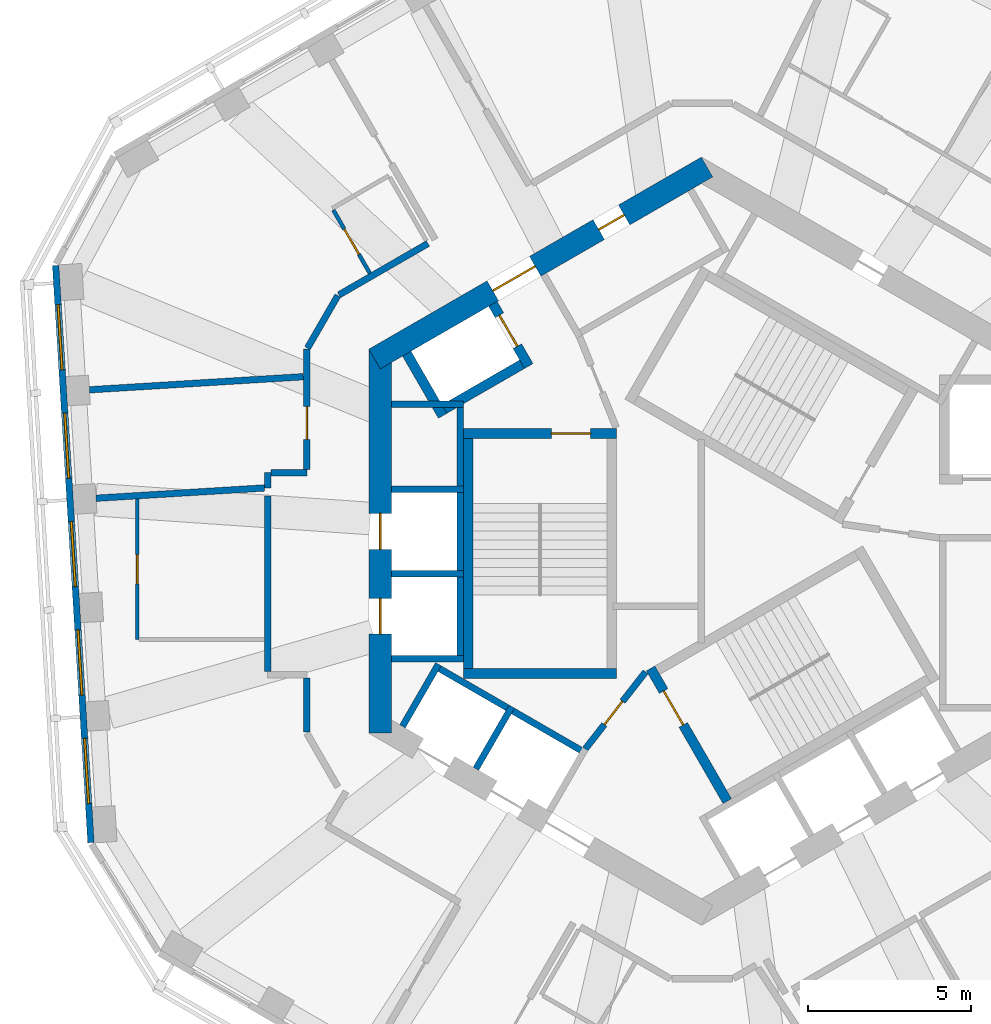
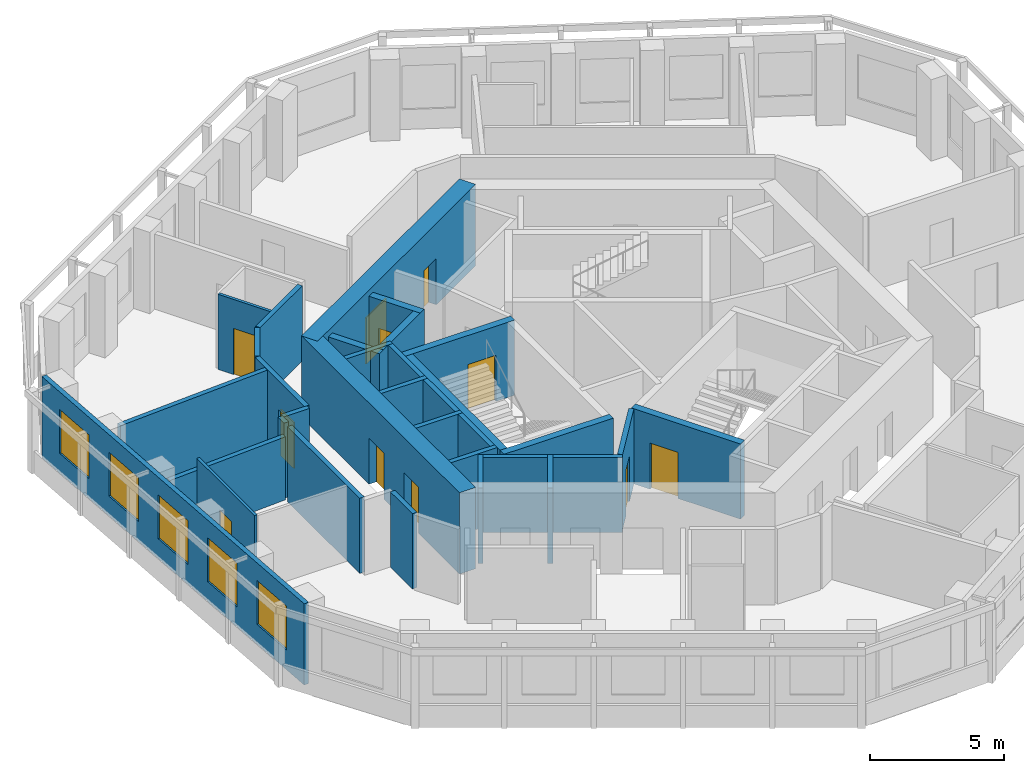
# One storey, part 5 of 10: 30 walls, 11 doors, 5 windows, 16 openings.
"""IFC4 building model written with IfcOpenShell, lengths in metres."""

import ifcopenshell
import ifcopenshell.guid

model = None  # the IFC model being written
_history = None  # IfcOwnerHistory: only IFC2X3 demands one
_inside = {}  # id of a spatial element -> (the spatial element, [elements in it])
_under = {}  # id of a project, library or spatial element -> (it, [spatial elements below it])
_declared = {}  # id of a project -> (the project, [libraries it declares])
_typed = {}  # id of a type object -> (the type object, [elements of that type])
_made_of = {}  # id of a material, layer set ... -> (it, [elements and type objects made of it])


def new_model(schema):
    """Start an empty IFC model of exactly this schema.

    Asked for "IFC4X3", IfcOpenShell would pick the latest addendum, in which some entities
    have other attributes; the version numbers below select the first issue.
    IFC2X3 requires an IfcOwnerHistory on every rooted entity: one is made here for all.
    """
    global model, _history
    if schema == "IFC4X3":
        model = ifcopenshell.file(schema_version=(4, 3, 0, 0))
    else:
        model = ifcopenshell.file(schema=schema)
    _inside.clear()
    _under.clear()
    _declared.clear()
    _typed.clear()
    _made_of.clear()
    _history = None
    if model.schema == "IFC2X3":
        org = make("IfcOrganization", Name="unknown")
        user = make(
            "IfcPersonAndOrganization",
            ThePerson=make("IfcPerson", FamilyName="unknown"),
            TheOrganization=org,
        )
        app = make(
            "IfcApplication",
            ApplicationDeveloper=org,
            Version="unknown",
            ApplicationFullName="unknown",
            ApplicationIdentifier="unknown",
        )
        _history = make(
            "IfcOwnerHistory",
            OwningUser=user,
            OwningApplication=app,
            ChangeAction="ADDED",
            CreationDate=0,
        )
    return model


def make(cls, **values):
    """One entity of the class cls with the attributes given. An attribute that is None is left unset."""
    return model.create_entity(
        cls, **{name: value for name, value in values.items() if value is not None}
    )


def rooted(cls, **values):
    """An entity with a GlobalId (a new one), such as an element, a storey or a relation."""
    return make(cls, GlobalId=ifcopenshell.guid.new(), OwnerHistory=_history, **values)


def si_unit(unit_type, name, prefix=None):
    """IfcSIUnit, for example si_unit("LENGTHUNIT", "METRE", prefix="MILLI")."""
    return make("IfcSIUnit", UnitType=unit_type, Prefix=prefix, Name=name)


def assignment(units):
    """IfcUnitAssignment: the units of a project."""
    return None if units is None else make("IfcUnitAssignment", Units=units)


def point(xyz):
    """IfcCartesianPoint."""
    return None if xyz is None else make("IfcCartesianPoint", Coordinates=xyz)


def direction(xyz):
    """IfcDirection."""
    return None if xyz is None else make("IfcDirection", DirectionRatios=xyz)


def frame(location, z_axis=None, x_axis=None):
    """IfcAxis2Placement3D, a coordinate frame: its origin and axes. An axis left out is left unset."""
    return make(
        "IfcAxis2Placement3D",
        Location=point(location),
        Axis=direction(z_axis),
        RefDirection=direction(x_axis),
    )


def frame_2d(location, x_axis=None):
    """IfcAxis2Placement2D, a coordinate frame in the plane: its origin and x axis."""
    return make(
        "IfcAxis2Placement2D", Location=point(location), RefDirection=direction(x_axis)
    )


def origin():
    """The frame at (0, 0, 0) with its axes left unset."""
    return frame((0.0, 0.0, 0.0))


def place(relative_to, where):
    """IfcLocalPlacement: puts the frame where relative to a parent placement (None: the world)."""
    return make(
        "IfcLocalPlacement", PlacementRelTo=relative_to, RelativePlacement=where
    )


def context(
    kind, dimensions, precision=None, world=None, true_north=None, identifier=None
):
    """IfcGeometricRepresentationContext, for example the 3D "Model" context."""
    return make(
        "IfcGeometricRepresentationContext",
        ContextIdentifier=identifier,
        ContextType=kind,
        CoordinateSpaceDimension=dimensions,
        Precision=precision,
        WorldCoordinateSystem=world,
        TrueNorth=true_north,
    )


def subcontext(parent, identifier, kind, view, scale=None):
    """IfcGeometricRepresentationSubContext, for example "Body" below "Model"."""
    return make(
        "IfcGeometricRepresentationSubContext",
        ContextIdentifier=identifier,
        ContextType=kind,
        ParentContext=parent,
        TargetScale=scale,
        TargetView=view,
    )


def project(units=None, contexts=None):
    """IfcProject with its units and contexts."""
    return rooted(
        "IfcProject",
        Name="project",
        RepresentationContexts=contexts,
        UnitsInContext=assignment(units),
    )


def spatial(cls, under=None, at=None, **own):
    """A site, building, storey or space (cls), placed at a placement, below another one or the project."""
    s = rooted(cls, ObjectPlacement=at, **own)
    if under is not None:
        _under.setdefault(under.id(), (under, []))[1].append(s)
    return s


def profile(cls, at=None, kind="AREA", **sizes):
    """A parametric profile (cls). Its sizes go by their IFC names, for example OverallWidth=200.0."""
    return make(cls, ProfileType=kind, Position=at, **sizes)


def rectangle(**sizes):
    """IfcRectangleProfileDef."""
    return profile("IfcRectangleProfileDef", **sizes)


def extrude(swept, where, along, depth):
    """IfcExtrudedAreaSolid: the profile swept, set in the frame where, extruded along a direction by depth."""
    return make(
        "IfcExtrudedAreaSolid",
        SweptArea=swept,
        Position=where,
        ExtrudedDirection=direction(along),
        Depth=depth,
    )


def shape(context_of_items, identifier, shape_type, items):
    """IfcShapeRepresentation: the items that make up one representation, for example the "Body"."""
    return make(
        "IfcShapeRepresentation",
        ContextOfItems=context_of_items,
        RepresentationIdentifier=identifier,
        RepresentationType=shape_type,
        Items=items,
    )


def material(Name=None, Category=None):
    """IfcMaterial."""
    return make("IfcMaterial", Name=Name, Category=Category)


def layer(
    of_material, thickness, ventilated=None, Name=None, Category=None, Priority=None
):
    """IfcMaterialLayer: one layer of a wall or slab, of a material (None: an air gap)."""
    return make(
        "IfcMaterialLayer",
        Material=of_material,
        LayerThickness=thickness,
        IsVentilated=ventilated,
        Name=Name,
        Category=Category,
        Priority=Priority,
    )


def layer_set(layers, Name=None):
    """IfcMaterialLayerSet."""
    return make("IfcMaterialLayerSet", MaterialLayers=layers, LayerSetName=Name)


def made_of(thing, what):
    """Note that an element or type object is made of a material, layer set ...; save() writes the relation."""
    if what is not None:
        _made_of.setdefault(what.id(), (what, []))[1].append(thing)
    return thing


def type_object(cls, material=None, **own):
    """A type object (cls), such as IfcWallType, which elements share."""
    return made_of(rooted(cls, **own), material)


def element(
    cls,
    number,
    at=None,
    inside=None,
    cuts=None,
    type_object=None,
    material=None,
    context=None,
    identifier="Body",
    shape_type=None,
    held_by="IfcProductDefinitionShape",
    body=None,
    shapes=None,
    **own,
):
    """One element of the class cls, such as IfcWall. Its Tag is "e" and its number.

    at: its placement. inside: the storey or other place that contains it. cuts: it is an
    opening in that element (IfcRelVoidsElement). A single representation is given by context,
    identifier, shape_type and body (its items); several are given by shapes. held_by: the class
    of the entity that holds the representations. save() writes the other relations.
    """
    e = rooted(cls, Tag="e%d" % number, ObjectPlacement=at, **own)
    if body is not None:
        shapes = [shape(context, identifier, shape_type, body)]
    if shapes is not None:
        e.Representation = make(held_by, Representations=shapes)
    if inside is not None:
        _inside.setdefault(inside.id(), (inside, []))[1].append(e)
    if cuts is not None:
        rooted(
            "IfcRelVoidsElement", RelatingBuildingElement=cuts, RelatedOpeningElement=e
        )
    if type_object is not None:
        _typed.setdefault(type_object.id(), (type_object, []))[1].append(e)
    return made_of(e, material)


def fill(opening, filler):
    """IfcRelFillsElement: the door or window that sits in an opening."""
    return rooted(
        "IfcRelFillsElement",
        RelatingOpeningElement=opening,
        RelatedBuildingElement=filler,
    )


def aggregate(whole, parts):
    """IfcRelAggregates: a whole, such as a stair, and the parts it consists of."""
    return rooted("IfcRelAggregates", RelatingObject=whole, RelatedObjects=parts)


def save(model, path):
    """Write the relations noted so far, then the file.

    IfcRelAggregates (storeys below a building ...), IfcRelContainedInSpatialStructure (elements
    in a storey), IfcRelDefinesByType, IfcRelAssociatesMaterial and IfcRelDeclares: one each for
    every whole, place, type object, material and project.
    """
    for whole, parts in _under.values():
        aggregate(whole, parts)
    for where, things in _inside.values():
        rooted(
            "IfcRelContainedInSpatialStructure",
            RelatedElements=things,
            RelatingStructure=where,
        )
    for kind, things in _typed.values():
        rooted("IfcRelDefinesByType", RelatedObjects=things, RelatingType=kind)
    for what, things in _made_of.values():
        rooted("IfcRelAssociatesMaterial", RelatedObjects=things, RelatingMaterial=what)
    for by, libraries in _declared.values():
        rooted("IfcRelDeclares", RelatingContext=by, RelatedDefinitions=libraries)
    model.write(path)


model = new_model("IFC4")

# Units and contexts
model_context = context("Model", 3, precision=1e-05, world=origin(), true_north=direction((0.0, 1.0)))
body_context = subcontext(model_context, "Body", "Model", "MODEL_VIEW")
ifc_project = project(units=[si_unit("LENGTHUNIT", "METRE"), si_unit("AREAUNIT", "SQUARE_METRE"), si_unit("VOLUMEUNIT", "CUBIC_METRE"), si_unit("PLANEANGLEUNIT", "RADIAN"), si_unit("MASSUNIT", "GRAM", prefix="KILO")], contexts=[model_context])

# Site, building, storey
site_placement = place(None, origin())
site = spatial("IfcSite", under=ifc_project, at=site_placement, CompositionType="ELEMENT")
building_placement = place(site_placement, origin())
building = spatial("IfcBuilding", under=site, at=building_placement, Name="Vanh Sen Convention Tower", CompositionType="ELEMENT")
storey_placement = place(building_placement, frame((0.0, 0.0, 267.199951171875)))
storey = spatial("IfcBuildingStorey", under=building, at=storey_placement, Name="L66", CompositionType="ELEMENT", Elevation=267.199951171875)

# Wall, opening, door
ifc_material_1 = material(Name="Moisture-resistant gypsum board on steel studs", Category="steel")
ifc_layer_1 = layer(ifc_material_1, 0.1201171875)
ifc_layer_set_1 = layer_set([ifc_layer_1], Name="Moisture-resistant gypsum board on steel studs")
wall_type_1 = type_object("IfcWallType", Name="Bathroom partition 120", PredefinedType="PARTITIONING", material=ifc_layer_set_1)
wall_1_placement = place(storey_placement, frame((-17.301025390625, -3.0107421875, 0.0), z_axis=(0.0, 0.0, 1.0), x_axis=(0.0, 1.0, 0.0)))
wall_1 = element("IfcWall", 1, at=wall_1_placement, inside=storey, type_object=wall_type_1, Name="Bathroom partition 120", PredefinedType="PARTITIONING", context=body_context, shape_type="SweptSolid", body=[
    extrude(rectangle(XDim=4.300048828125, YDim=0.1201171875, at=frame_2d((2.14990234375, 0.0))), origin(), (0.0, 0.0, 1.0), 3.420166015625),
])
opening_1_placement = place(wall_1_placement, frame((1.699951171875, 0.0, 0.0)))
opening_1 = element("IfcOpeningElement", 2, at=opening_1_placement, cuts=wall_1, Name="Opening D64111", PredefinedType="OPENING", context=body_context, shape_type="SweptSolid", body=[
    extrude(rectangle(XDim=0.89990234375, YDim=2.10009765625, at=frame_2d((0.449951171875, 1.050048828125))), frame((0.0, 0.070068359375, 0.0), z_axis=(0.0, -1.0, 0.0), x_axis=(1.0, 0.0, 0.0)), (0.0, 0.0, 1.0), 0.14013671875),
])
ifc_material_2 = material(Name="Laminate door in steel frame", Category="steel")
door_type_1 = type_object("IfcDoorType", Name="Room internal door 900", OperationType="SINGLE_SWING_LEFT", PredefinedType="DOOR", material=ifc_material_2)
door_1_placement = place(opening_1_placement, origin())
door_1 = element("IfcDoor", 3, at=door_1_placement, inside=storey, type_object=door_type_1, Name="Internal room door D64111", OperationType="SINGLE_SWING_LEFT", OverallHeight=2.10009765625, OverallWidth=0.89990234375, PredefinedType="DOOR", context=body_context, shape_type="SweptSolid", body=[
    extrude(rectangle(XDim=0.89990234375, YDim=2.10009765625, at=frame_2d((0.449951171875, 1.050048828125))), frame((0.0, 0.02490234375, 0.0), z_axis=(0.0, -1.0, 0.0), x_axis=(1.0, 0.0, 0.0)), (0.0, 0.0, 1.0), 0.050048828125),
])
fill(opening_1, door_1)

wall_2_placement = place(storey_placement, frame((-10.168701171875, 8.21630859375, 0.0), z_axis=(0.0, 0.0, 1.0), x_axis=(-0.500030632641, 0.866007717299, 0.0)))
wall_2 = element("IfcWall", 4, at=wall_2_placement, inside=storey, type_object=wall_type_1, Name="Bathroom partition 120", PredefinedType="PARTITIONING", context=body_context, shape_type="SweptSolid", body=[
    extrude(rectangle(XDim=2.239990234375, YDim=0.1201171875, at=frame_2d((1.1201171875, 0.0))), origin(), (0.0, 0.0, 1.0), 3.420166015625),
])
opening_2_placement = place(wall_2_placement, frame((0.669921875, 0.0, 0.0)))
opening_2 = element("IfcOpeningElement", 5, at=opening_2_placement, cuts=wall_2, Name="Opening D64108", PredefinedType="OPENING", context=body_context, shape_type="SweptSolid", body=[
    extrude(rectangle(XDim=0.89990234375, YDim=2.10009765625, at=frame_2d((0.449951171875, 1.050048828125))), frame((0.0, 0.070068359375, 0.0), z_axis=(0.0, -1.0, 0.0), x_axis=(1.0, 0.0, 0.0)), (0.0, 0.0, 1.0), 0.14013671875),
])
door_2_placement = place(opening_2_placement, origin())
door_2 = element("IfcDoor", 6, at=door_2_placement, inside=storey, type_object=door_type_1, Name="Internal room door D64108", OperationType="SINGLE_SWING_LEFT", OverallHeight=2.10009765625, OverallWidth=0.89990234375, PredefinedType="DOOR", context=body_context, shape_type="SweptSolid", body=[
    extrude(rectangle(XDim=0.89990234375, YDim=2.10009765625, at=frame_2d((0.449951171875, 1.050048828125))), frame((0.0, 0.02490234375, 0.0), z_axis=(0.0, -1.0, 0.0), x_axis=(1.0, 0.0, 0.0)), (0.0, 0.0, 1.0), 0.050048828125),
])
fill(opening_2, door_2)

# Wall, openings, doors
ifc_material_3 = material(Name="Concrete C60/75", Category="concrete")
ifc_layer_2 = layer(ifc_material_3, 0.699951171875)
ifc_layer_set_2 = layer_set([ifc_layer_2], Name="Concrete C60/75")
wall_type_2 = type_object("IfcWallType", Name="Core outer wall 700 C60/75", PredefinedType="SHEAR", material=ifc_layer_set_2)
wall_3_placement = place(storey_placement, frame((0.175048828125, 11.474853515625, 0.0), z_axis=(0.0, 0.0, 1.0), x_axis=(-0.866026453023, -0.499998182661, 0.0)))
wall_3 = element("IfcWall", 7, at=wall_3_placement, inside=storey, type_object=wall_type_2, Name="Core wall face NW L66", PredefinedType="SHEAR", context=body_context, shape_type="SweptSolid", body=[
    extrude(rectangle(XDim=11.77783203125, YDim=0.699951171875, at=frame_2d((5.888916015625, 0.0))), origin(), (0.0, 0.0, 1.0), 3.699951171875),
])
opening_3_placement = place(wall_3_placement, frame((6.089111328125, 0.0, 0.0)))
opening_3 = element("IfcOpeningElement", 8, at=opening_3_placement, cuts=wall_3, Name="Opening D64002", PredefinedType="OPENING", context=body_context, shape_type="SweptSolid", body=[
    extrude(rectangle(XDim=1.5, YDim=2.10009765625, at=frame_2d((0.75, 1.050048828125))), frame((0.0, 0.35986328125, 0.0), z_axis=(0.0, -1.0, 0.0), x_axis=(1.0, 0.0, 0.0)), (0.0, 0.0, 1.0), 0.719970703125),
])
opening_4_placement = place(wall_3_placement, frame((2.93896484375, 0.0, 0.0)))
opening_4 = element("IfcOpeningElement", 9, at=opening_4_placement, cuts=wall_3, Name="Opening D64012", PredefinedType="OPENING", context=body_context, shape_type="SweptSolid", body=[
    extrude(rectangle(XDim=0.89990234375, YDim=2.10009765625, at=frame_2d((0.449951171875, 1.050048828125))), frame((0.0, 0.35986328125, 0.0), z_axis=(0.0, -1.0, 0.0), x_axis=(1.0, 0.0, 0.0)), (0.0, 0.0, 1.0), 0.719970703125),
])
ifc_material_4 = material(Name="Steel S355", Category="steel")
door_type_2 = type_object("IfcDoorType", Name="Plant door 900", OperationType="SINGLE_SWING_LEFT", PredefinedType="DOOR", material=ifc_material_4)
door_3_placement = place(opening_4_placement, origin())
door_3 = element("IfcDoor", 10, at=door_3_placement, inside=storey, type_object=door_type_2, Name="Plant door D64012", OperationType="SINGLE_SWING_LEFT", OverallHeight=2.10009765625, OverallWidth=0.89990234375, PredefinedType="DOOR", context=body_context, shape_type="SweptSolid", body=[
    extrude(rectangle(XDim=0.89990234375, YDim=2.10009765625, at=frame_2d((0.449951171875, 1.050048828125))), frame((0.0, 0.02490234375, 0.0), z_axis=(0.0, -1.0, 0.0), x_axis=(1.0, 0.0, 0.0)), (0.0, 0.0, 1.0), 0.050048828125),
])
fill(opening_4, door_3)
door_type_3 = type_object("IfcDoorType", Name="Stair lobby door 1500", OperationType="DOUBLE_DOOR_SINGLE_SWING", PredefinedType="DOOR", material=ifc_material_4)
door_4_placement = place(opening_3_placement, origin())
door_4 = element("IfcDoor", 11, at=door_4_placement, inside=storey, type_object=door_type_3, Name="Stair lobby door D64002", OperationType="DOUBLE_DOOR_SINGLE_SWING", OverallHeight=2.10009765625, OverallWidth=1.5, PredefinedType="DOOR", context=body_context, shape_type="SweptSolid", body=[
    extrude(rectangle(XDim=1.5, YDim=2.10009765625, at=frame_2d((0.75, 1.050048828125))), frame((0.0, 0.02490234375, 0.0), z_axis=(0.0, -1.0, 0.0), x_axis=(1.0, 0.0, 0.0)), (0.0, 0.0, 1.0), 0.050048828125),
])
fill(opening_3, door_4)

wall_4_placement = place(storey_placement, frame((-9.85009765625, 5.888916015625, 0.0), z_axis=(0.0, 0.0, 1.0), x_axis=(0.0, -1.0, 0.0)))
wall_4 = element("IfcWall", 12, at=wall_4_placement, inside=storey, type_object=wall_type_2, Name="Core wall face W L66", PredefinedType="SHEAR", context=body_context, shape_type="SweptSolid", body=[
    extrude(rectangle(XDim=11.77783203125, YDim=0.699951171875, at=frame_2d((5.888916015625, 0.0))), origin(), (0.0, 0.0, 1.0), 3.699951171875),
])
opening_5_placement = place(wall_4_placement, frame((5.0390625, 0.0, 0.0)))
opening_5 = element("IfcOpeningElement", 13, at=opening_5_placement, cuts=wall_4, Name="Opening LD-HR1", PredefinedType="OPENING", context=body_context, shape_type="SweptSolid", body=[
    extrude(rectangle(XDim=1.10009765625, YDim=2.10009765625, at=frame_2d((0.550048828125, 1.050048828125))), frame((0.0, 0.35986328125, 0.0), z_axis=(0.0, -1.0, 0.0), x_axis=(1.0, 0.0, 0.0)), (0.0, 0.0, 1.0), 0.719970703125),
])
opening_6_placement = place(wall_4_placement, frame((7.638916015625, 0.0, 0.0)))
opening_6 = element("IfcOpeningElement", 14, at=opening_6_placement, cuts=wall_4, Name="Opening LD-HR2", PredefinedType="OPENING", context=body_context, shape_type="SweptSolid", body=[
    extrude(rectangle(XDim=1.10009765625, YDim=2.10009765625, at=frame_2d((0.550048828125, 1.050048828125))), frame((0.0, 0.35986328125, 0.0), z_axis=(0.0, -1.0, 0.0), x_axis=(1.0, 0.0, 0.0)), (0.0, 0.0, 1.0), 0.719970703125),
])
ifc_material_5 = material(Name="Stainless steel", Category="steel")
door_type_4 = type_object("IfcDoorType", Name="Lift landing door 1100", OperationType="DOUBLE_DOOR_SLIDING", PredefinedType="DOOR", material=ifc_material_5)
door_5_placement = place(opening_5_placement, origin())
door_5 = element("IfcDoor", 15, at=door_5_placement, inside=storey, type_object=door_type_4, Name="Lift HR1 landing door LD-HR1", OperationType="DOUBLE_DOOR_SLIDING", OverallHeight=2.10009765625, OverallWidth=1.10009765625, PredefinedType="DOOR", context=body_context, shape_type="SweptSolid", body=[
    extrude(rectangle(XDim=1.10009765625, YDim=2.10009765625, at=frame_2d((0.550048828125, 1.050048828125))), frame((0.0, 0.02490234375, 0.0), z_axis=(0.0, -1.0, 0.0), x_axis=(1.0, 0.0, 0.0)), (0.0, 0.0, 1.0), 0.050048828125),
])
fill(opening_5, door_5)
door_6_placement = place(opening_6_placement, origin())
door_6 = element("IfcDoor", 16, at=door_6_placement, inside=storey, type_object=door_type_4, Name="Lift HR2 landing door LD-HR2", OperationType="DOUBLE_DOOR_SLIDING", OverallHeight=2.10009765625, OverallWidth=1.10009765625, PredefinedType="DOOR", context=body_context, shape_type="SweptSolid", body=[
    extrude(rectangle(XDim=1.10009765625, YDim=2.10009765625, at=frame_2d((0.550048828125, 1.050048828125))), frame((0.0, 0.02490234375, 0.0), z_axis=(0.0, -1.0, 0.0), x_axis=(1.0, 0.0, 0.0)), (0.0, 0.0, 1.0), 0.050048828125),
])
fill(opening_6, door_6)

# Walls
ifc_material_6 = material(Name="Gypsum board on steel studs with mineral wool", Category="steel")
ifc_layer_3 = layer(ifc_material_6, 0.199951171875)
ifc_layer_set_3 = layer_set([ifc_layer_3], Name="Gypsum board on steel studs with mineral wool")
wall_type_3 = type_object("IfcWallType", Name="Corridor partition wall 200", PredefinedType="PARTITIONING", material=ifc_layer_set_3)
wall_5_placement = place(storey_placement, frame((-13.301025390625, 1.38916015625, 0.0), z_axis=(0.0, 0.0, 1.0), x_axis=(0.0, -1.0, 0.0)))
element("IfcWall", 17, at=wall_5_placement, inside=storey, type_object=wall_type_3, Name="Corridor partition wall 200", PredefinedType="PARTITIONING", context=body_context, shape_type="SweptSolid", body=[
    extrude(rectangle(XDim=5.39013671875, YDim=0.199951171875, at=frame_2d((2.695068359375, 0.0))), origin(), (0.0, 0.0, 1.0), 3.420166015625),
])
wall_6_placement = place(storey_placement, frame((-13.301025390625, 2.10107421875, 0.0), z_axis=(0.0, 0.0, 1.0), x_axis=(0.0, -1.0, 0.0)))
element("IfcWall", 18, at=wall_6_placement, inside=storey, type_object=wall_type_3, Name="Corridor partition wall 200", PredefinedType="PARTITIONING", context=body_context, shape_type="SweptSolid", body=[
    extrude(rectangle(XDim=0.4619140625, YDim=0.199951171875, at=frame_2d((0.23095703125, 0.0))), origin(), (0.0, 0.0, 1.0), 3.420166015625),
])
wall_7_placement = place(storey_placement, frame((-12.10009765625, -4.200927734375, 0.0), z_axis=(0.0, 0.0, 1.0), x_axis=(0.0, -1.0, 0.0)))
element("IfcWall", 19, at=wall_7_placement, inside=storey, type_object=wall_type_3, Name="Corridor partition wall 200", PredefinedType="PARTITIONING", context=body_context, shape_type="SweptSolid", body=[
    extrude(rectangle(XDim=1.648193359375, YDim=0.199951171875, at=frame_2d((0.82421875, 0.0))), origin(), (0.0, 0.0, 1.0), 3.420166015625),
])
wall_8_placement = place(storey_placement, frame((-12.10009765625, 2.10107421875, 0.0), z_axis=(0.0, 0.0, 1.0), x_axis=(-1.0, 0.0, 0.0)))
element("IfcWall", 20, at=wall_8_placement, inside=storey, type_object=wall_type_3, Name="Corridor partition wall 200", PredefinedType="PARTITIONING", context=body_context, shape_type="SweptSolid", body=[
    extrude(rectangle(XDim=1.100830078125, YDim=0.199951171875, at=frame_2d((0.55029296875, 0.0))), origin(), (0.0, 0.0, 1.0), 3.420166015625),
])

# Wall, opening, door
wall_9_placement = place(storey_placement, frame((-12.10009765625, 5.888916015625, 0.0), z_axis=(0.0, 0.0, 1.0), x_axis=(0.0, -1.0, 0.0)))
wall_9 = element("IfcWall", 21, at=wall_9_placement, inside=storey, type_object=wall_type_3, Name="Corridor partition wall 200", PredefinedType="PARTITIONING", context=body_context, shape_type="SweptSolid", body=[
    extrude(rectangle(XDim=3.68798828125, YDim=0.199951171875, at=frame_2d((1.843994140625, 0.0))), origin(), (0.0, 0.0, 1.0), 3.420166015625),
])
opening_7_placement = place(wall_9_placement, frame((1.76318359375, 0.0, 0.0)))
opening_7 = element("IfcOpeningElement", 22, at=opening_7_placement, cuts=wall_9, Name="Opening D64109", PredefinedType="OPENING", context=body_context, shape_type="SweptSolid", body=[
    extrude(rectangle(XDim=1.0, YDim=2.10009765625, at=frame_2d((0.5, 1.050048828125))), frame((0.0, 0.10986328125, 0.0), z_axis=(0.0, -1.0, 0.0), x_axis=(1.0, 0.0, 0.0)), (0.0, 0.0, 1.0), 0.219970703125),
])
ifc_material_7 = material(Name="Glazed fire door in steel frame", Category="steel")
door_type_5 = type_object("IfcDoorType", Name="Tenant entrance door 1000", OperationType="SINGLE_SWING_LEFT", PredefinedType="DOOR", material=ifc_material_7)
door_7_placement = place(opening_7_placement, origin())
door_7 = element("IfcDoor", 23, at=door_7_placement, inside=storey, type_object=door_type_5, Name="Tenant suite entrance door D64109", OperationType="SINGLE_SWING_LEFT", OverallHeight=2.10009765625, OverallWidth=1.0, PredefinedType="DOOR", context=body_context, shape_type="SweptSolid", body=[
    extrude(rectangle(XDim=1.0, YDim=2.10009765625, at=frame_2d((0.5, 1.050048828125))), frame((0.0, 0.02490234375, 0.0), z_axis=(0.0, -1.0, 0.0), x_axis=(1.0, 0.0, 0.0)), (0.0, 0.0, 1.0), 0.050048828125),
])
fill(opening_7, door_7)

# Walls
wall_10_placement = place(storey_placement, frame((-11.14990234375, 7.534423828125, 0.0), z_axis=(0.0, 0.0, 1.0), x_axis=(-0.500063286585, -0.865988862174, 0.0)))
element("IfcWall", 24, at=wall_10_placement, inside=storey, type_object=wall_type_3, Name="Corridor partition wall 200", PredefinedType="PARTITIONING", context=body_context, shape_type="SweptSolid", body=[
    extrude(rectangle(XDim=1.860107421875, YDim=0.199951171875, at=frame_2d((0.93017578125, 0.0))), origin(), (0.0, 0.0, 1.0), 3.420166015625),
])
wall_11_placement = place(storey_placement, frame((-8.38671875, 9.1298828125, 0.0), z_axis=(0.0, 0.0, 1.0), x_axis=(-0.866026878644, -0.499997445459, 0.0)))
element("IfcWall", 25, at=wall_11_placement, inside=storey, type_object=wall_type_3, Name="Corridor partition wall 200", PredefinedType="PARTITIONING", context=body_context, shape_type="SweptSolid", body=[
    extrude(rectangle(XDim=3.15087890625, YDim=0.199951171875, at=frame_2d((1.575439453125, 0.0))), origin(), (0.0, 0.0, 1.0), 3.420166015625),
])

# Wall, openings, windows
ifc_material_8 = material(Name="Insulated lightweight infill wall")
ifc_layer_4 = layer(ifc_material_8, 0.199951171875)
ifc_layer_set_4 = layer_set([ifc_layer_4], Name="Insulated lightweight infill wall")
wall_type_4 = type_object("IfcWallType", Name="External wall 200", PredefinedType="STANDARD", material=ifc_layer_set_4)
wall_12_placement = place(storey_placement, frame((-19.802978515625, 8.4541015625, 0.0), z_axis=(0.0, 0.0, 1.0), x_axis=(0.061036717565, -0.998135521414, 0.0)))
wall_12 = element("IfcWall", 26, at=wall_12_placement, inside=storey, type_object=wall_type_4, Name="External wall W L66", PredefinedType="STANDARD", context=body_context, shape_type="SweptSolid", body=[
    extrude(rectangle(XDim=17.7314453125, YDim=0.199951171875, at=frame_2d((8.86572265625, 0.0))), origin(), (0.0, 0.0, 1.0), 3.699951171875),
])
opening_8_placement = place(wall_12_placement, frame((1.20166015625, 0.0, 0.89990234375)))
opening_8 = element("IfcOpeningElement", 27, at=opening_8_placement, cuts=wall_12, Name="Opening WO5-W1", PredefinedType="OPENING", context=body_context, shape_type="SweptSolid", body=[
    extrude(rectangle(XDim=2.0, YDim=2.0, at=frame_2d((1.0, 1.0))), frame((0.0, 0.10986328125, 0.0), z_axis=(0.0, -1.0, 0.0), x_axis=(1.0, 0.0, 0.0)), (0.0, 0.0, 1.0), 0.219970703125),
])
opening_9_placement = place(wall_12_placement, frame((4.533203125, 0.0, 0.89990234375)))
opening_9 = element("IfcOpeningElement", 28, at=opening_9_placement, cuts=wall_12, Name="Opening WO5-W2", PredefinedType="OPENING", context=body_context, shape_type="SweptSolid", body=[
    extrude(rectangle(XDim=2.0, YDim=2.0, at=frame_2d((1.0, 1.0))), frame((0.0, 0.10986328125, 0.0), z_axis=(0.0, -1.0, 0.0), x_axis=(1.0, 0.0, 0.0)), (0.0, 0.0, 1.0), 0.219970703125),
])
opening_10_placement = place(wall_12_placement, frame((7.864990234375, 0.0, 0.89990234375)))
opening_10 = element("IfcOpeningElement", 29, at=opening_10_placement, cuts=wall_12, Name="Opening WO5-W3", PredefinedType="OPENING", context=body_context, shape_type="SweptSolid", body=[
    extrude(rectangle(XDim=2.0, YDim=2.0, at=frame_2d((1.0, 1.0))), frame((0.0, 0.10986328125, 0.0), z_axis=(0.0, -1.0, 0.0), x_axis=(1.0, 0.0, 0.0)), (0.0, 0.0, 1.0), 0.219970703125),
])
opening_11_placement = place(wall_12_placement, frame((11.196533203125, 0.0, 0.89990234375)))
opening_11 = element("IfcOpeningElement", 30, at=opening_11_placement, cuts=wall_12, Name="Opening WO5-W4", PredefinedType="OPENING", context=body_context, shape_type="SweptSolid", body=[
    extrude(rectangle(XDim=2.0, YDim=2.0, at=frame_2d((1.0, 1.0))), frame((0.0, 0.10986328125, 0.0), z_axis=(0.0, -1.0, 0.0), x_axis=(1.0, 0.0, 0.0)), (0.0, 0.0, 1.0), 0.219970703125),
])
opening_12_placement = place(wall_12_placement, frame((14.5283203125, 0.0, 0.89990234375)))
opening_12 = element("IfcOpeningElement", 31, at=opening_12_placement, cuts=wall_12, Name="Opening WO5-W5", PredefinedType="OPENING", context=body_context, shape_type="SweptSolid", body=[
    extrude(rectangle(XDim=2.0, YDim=2.0, at=frame_2d((1.0, 1.0))), frame((0.0, 0.10986328125, 0.0), z_axis=(0.0, -1.0, 0.0), x_axis=(1.0, 0.0, 0.0)), (0.0, 0.0, 1.0), 0.219970703125),
])
ifc_material_9 = material(Name="Aluminium frame with clear low-emissivity glass", Category="aluminium")
window_type = type_object("IfcWindowType", Name="Office window 2000 x 2000", PartitioningType="SINGLE_PANEL", PredefinedType="WINDOW", material=ifc_material_9)
window_1_placement = place(opening_8_placement, origin())
window_1 = element("IfcWindow", 32, at=window_1_placement, inside=storey, type_object=window_type, Name="Window WO5-W1", OverallHeight=2.0, OverallWidth=2.0, PartitioningType="SINGLE_PANEL", PredefinedType="WINDOW", context=body_context, shape_type="SweptSolid", body=[
    extrude(rectangle(XDim=2.0, YDim=2.0, at=frame_2d((1.0, 1.0))), frame((0.0, 0.030029296875, 0.0), z_axis=(0.0, -1.0, 0.0), x_axis=(1.0, 0.0, 0.0)), (0.0, 0.0, 1.0), 0.06005859375),
])
fill(opening_8, window_1)
window_2_placement = place(opening_9_placement, origin())
window_2 = element("IfcWindow", 33, at=window_2_placement, inside=storey, type_object=window_type, Name="Window WO5-W2", OverallHeight=2.0, OverallWidth=2.0, PartitioningType="SINGLE_PANEL", PredefinedType="WINDOW", context=body_context, shape_type="SweptSolid", body=[
    extrude(rectangle(XDim=2.0, YDim=2.0, at=frame_2d((1.0, 1.0))), frame((0.0, 0.030029296875, 0.0), z_axis=(0.0, -1.0, 0.0), x_axis=(1.0, 0.0, 0.0)), (0.0, 0.0, 1.0), 0.06005859375),
])
fill(opening_9, window_2)
window_3_placement = place(opening_10_placement, origin())
window_3 = element("IfcWindow", 34, at=window_3_placement, inside=storey, type_object=window_type, Name="Window WO5-W3", OverallHeight=2.0, OverallWidth=2.0, PartitioningType="SINGLE_PANEL", PredefinedType="WINDOW", context=body_context, shape_type="SweptSolid", body=[
    extrude(rectangle(XDim=2.0, YDim=2.0, at=frame_2d((1.0, 1.0))), frame((0.0, 0.030029296875, 0.0), z_axis=(0.0, -1.0, 0.0), x_axis=(1.0, 0.0, 0.0)), (0.0, 0.0, 1.0), 0.06005859375),
])
fill(opening_10, window_3)
window_4_placement = place(opening_11_placement, origin())
window_4 = element("IfcWindow", 35, at=window_4_placement, inside=storey, type_object=window_type, Name="Window WO5-W4", OverallHeight=2.0, OverallWidth=2.0, PartitioningType="SINGLE_PANEL", PredefinedType="WINDOW", context=body_context, shape_type="SweptSolid", body=[
    extrude(rectangle(XDim=2.0, YDim=2.0, at=frame_2d((1.0, 1.0))), frame((0.0, 0.030029296875, 0.0), z_axis=(0.0, -1.0, 0.0), x_axis=(1.0, 0.0, 0.0)), (0.0, 0.0, 1.0), 0.06005859375),
])
fill(opening_11, window_4)
window_5_placement = place(opening_12_placement, origin())
window_5 = element("IfcWindow", 36, at=window_5_placement, inside=storey, type_object=window_type, Name="Window WO5-W5", OverallHeight=2.0, OverallWidth=2.0, PartitioningType="SINGLE_PANEL", PredefinedType="WINDOW", context=body_context, shape_type="SweptSolid", body=[
    extrude(rectangle(XDim=2.0, YDim=2.0, at=frame_2d((1.0, 1.0))), frame((0.0, 0.030029296875, 0.0), z_axis=(0.0, -1.0, 0.0), x_axis=(1.0, 0.0, 0.0)), (0.0, 0.0, 1.0), 0.06005859375),
])
fill(opening_12, window_5)

# Wall, opening, door
ifc_layer_5 = layer(ifc_material_3, 0.300048828125)
ifc_layer_set_5 = layer_set([ifc_layer_5], Name="Concrete C60/75")
wall_type_5 = type_object("IfcWallType", Name="Fire-fighting lift shaft wall 300", PredefinedType="SHEAR", material=ifc_layer_set_5)
wall_13_placement = place(storey_placement, frame((-5.29541015625, 5.3720703125, 0.0), z_axis=(0.0, 0.0, 1.0), x_axis=(-0.500077893725, 0.86598042715, 0.0)))
wall_13 = element("IfcWall", 37, at=wall_13_placement, inside=storey, type_object=wall_type_5, Name="Fire-fighting lift shaft wall L66", PredefinedType="SHEAR", context=body_context, shape_type="SweptSolid", body=[
    extrude(rectangle(XDim=2.199951171875, YDim=0.300048828125, at=frame_2d((1.10009765625, 0.0))), origin(), (0.0, 0.0, 1.0), 3.420166015625),
])
opening_13_placement = place(wall_13_placement, frame((0.699951171875, 0.0, 0.0)))
opening_13 = element("IfcOpeningElement", 38, at=opening_13_placement, cuts=wall_13, Name="Opening LD-FF2", PredefinedType="OPENING", context=body_context, shape_type="SweptSolid", body=[
    extrude(rectangle(XDim=1.10009765625, YDim=2.10009765625, at=frame_2d((0.550048828125, 1.050048828125))), frame((0.0, 0.159912109375, 0.0), z_axis=(0.0, -1.0, 0.0), x_axis=(1.0, 0.0, 0.0)), (0.0, 0.0, 1.0), 0.320068359375),
])
door_type_6 = type_object("IfcDoorType", Name="Fire-fighting lift landing door 1100", OperationType="DOUBLE_DOOR_SLIDING", PredefinedType="DOOR", material=ifc_material_5)
door_8_placement = place(opening_13_placement, origin())
door_8 = element("IfcDoor", 39, at=door_8_placement, inside=storey, type_object=door_type_6, Name="Lift FF2 landing door LD-FF2", OperationType="DOUBLE_DOOR_SLIDING", OverallHeight=2.10009765625, OverallWidth=1.10009765625, PredefinedType="DOOR", context=body_context, shape_type="SweptSolid", body=[
    extrude(rectangle(XDim=1.10009765625, YDim=2.10009765625, at=frame_2d((0.550048828125, 1.050048828125))), frame((0.0, 0.02490234375, 0.0), z_axis=(0.0, -1.0, 0.0), x_axis=(1.0, 0.0, 0.0)), (0.0, 0.0, 1.0), 0.050048828125),
])
fill(opening_13, door_8)

# Walls
wall_14_placement = place(storey_placement, frame((-5.240478515625, 5.576904296875, 0.0), z_axis=(0.0, 0.0, 1.0), x_axis=(-0.866014461049, -0.500018952895, 0.0)))
element("IfcWall", 40, at=wall_14_placement, inside=storey, type_object=wall_type_5, Name="Fire-fighting lift shaft wall L66", PredefinedType="SHEAR", context=body_context, shape_type="SweptSolid", body=[
    extrude(rectangle(XDim=3.349853515625, YDim=0.300048828125, at=frame_2d((1.6748046875, 0.0))), origin(), (0.0, 0.0, 1.0), 3.420166015625),
])
wall_15_placement = place(storey_placement, frame((-7.936767578125, 3.846923828125, 0.0), z_axis=(0.0, 0.0, 1.0), x_axis=(-0.50002983664, 0.866008176907, 0.0)))
element("IfcWall", 41, at=wall_15_placement, inside=storey, type_object=wall_type_5, Name="Fire-fighting lift shaft wall L66", PredefinedType="SHEAR", context=body_context, shape_type="SweptSolid", body=[
    extrude(rectangle(XDim=2.199951171875, YDim=0.300048828125, at=frame_2d((1.10009765625, 0.0))), origin(), (0.0, 0.0, 1.0), 3.420166015625),
])
ifc_material_10 = material(Name="Concrete C40/50", Category="concrete")
ifc_layer_6 = layer(ifc_material_10, 0.199951171875)
ifc_layer_set_6 = layer_set([ifc_layer_6], Name="Concrete C40/50")
wall_type_6 = type_object("IfcWallType", Name="Lift shaft wall 200", PredefinedType="PARTITIONING", material=ifc_layer_set_6)
wall_16_placement = place(storey_placement, frame((-7.39990234375, 4.300048828125, 0.0), z_axis=(0.0, 0.0, 1.0), x_axis=(0.0, -1.0, 0.0)))
element("IfcWall", 42, at=wall_16_placement, inside=storey, type_object=wall_type_6, Name="Lift shaft wall L66", PredefinedType="PARTITIONING", context=body_context, shape_type="SweptSolid", body=[
    extrude(rectangle(XDim=8.0, YDim=0.199951171875, at=frame_2d((4.0, 0.0))), origin(), (0.0, 0.0, 1.0), 3.420166015625),
])
for number, where, z_axis, x_axis, name in (
    (43, (-7.300048828125, 4.199951171875, 0.0), (0.0, 0.0, 1.0), (-1.0, 0.0, 0.0), "Lift shaft wall L66"),
    (44, (-7.300048828125, 1.60009765625, 0.0), (0.0, 0.0, 1.0), (-1.0, 0.0, 0.0), "Lift shaft wall L66"),
    (45, (-7.300048828125, -1.0, 0.0), (0.0, 0.0, 1.0), (-1.0, 0.0, 0.0), "Lift shaft wall L66"),
    (46, (-7.300048828125, -3.60009765625, 0.0), (0.0, 0.0, 1.0), (-1.0, 0.0, 0.0), "Lift shaft wall L66"),
):
    element("IfcWall", number, at=place(storey_placement, frame(where, z_axis=z_axis, x_axis=x_axis)), inside=storey, type_object=wall_type_6, Name=name, PredefinedType="PARTITIONING", context=body_context, shape_type="SweptSolid", body=[
        extrude(rectangle(XDim=2.199951171875, YDim=0.199951171875, at=frame_2d((1.10009765625, 0.0))), origin(), (0.0, 0.0, 1.0), 3.420166015625),
    ])
wall_17_placement = place(storey_placement, frame((-8.203369140625, -3.80859375, 0.0), z_axis=(0.0, 0.0, 1.0), x_axis=(0.866028230842, -0.499995103361, 0.0)))
element("IfcWall", 47, at=wall_17_placement, inside=storey, type_object=wall_type_6, Name="Lift shaft wall L66", PredefinedType="PARTITIONING", context=body_context, shape_type="SweptSolid", body=[
    extrude(rectangle(XDim=5.39990234375, YDim=0.199951171875, at=frame_2d((2.699951171875, 0.0))), origin(), (0.0, 0.0, 1.0), 3.420166015625),
])
for number, where, z_axis, x_axis, name in (
    (48, (-8.066650390625, -3.77197265625, 0.0), (0.0, 0.0, 1.0), (-0.50002983664, -0.866008176907, 0.0), "Lift shaft wall L66"),
    (49, (-5.815185546875, -5.072021484375, 0.0), (0.0, 0.0, 1.0), (-0.499946605688, -0.86605622881, 0.0), "Lift shaft wall L66"),
):
    element("IfcWall", number, at=place(storey_placement, frame(where, z_axis=z_axis, x_axis=x_axis)), inside=storey, type_object=wall_type_6, Name=name, PredefinedType="PARTITIONING", context=body_context, shape_type="SweptSolid", body=[
        extrude(rectangle(XDim=2.199951171875, YDim=0.199951171875, at=frame_2d((1.10009765625, 0.0))), origin(), (0.0, 0.0, 1.0), 3.420166015625),
    ])

# Wall, opening, door
ifc_layer_7 = layer(ifc_material_10, 0.199951171875)
ifc_layer_set_7 = layer_set([ifc_layer_7], Name="Concrete C40/50")
wall_type_7 = type_object("IfcWallType", Name="Stair lobby wall 200", PredefinedType="PARTITIONING", material=ifc_layer_set_7)
wall_18_placement = place(storey_placement, frame((-1.71240234375, -4.00830078125, 0.0), z_axis=(0.0, 0.0, 1.0), x_axis=(-0.616549420702, -0.787316208287, 0.0)))
wall_18 = element("IfcWall", 50, at=wall_18_placement, inside=storey, type_object=wall_type_7, Name="Stair lobby wall L66", PredefinedType="PARTITIONING", context=body_context, shape_type="SweptSolid", body=[
    extrude(rectangle(XDim=3.002197265625, YDim=0.199951171875, at=frame_2d((1.5009765625, 0.0))), origin(), (0.0, 0.0, 1.0), 3.420166015625),
])
opening_14_placement = place(wall_18_placement, frame((1.14990234375, 0.0, 0.0)))
opening_14 = element("IfcOpeningElement", 51, at=opening_14_placement, cuts=wall_18, Name="Opening D64009", PredefinedType="OPENING", context=body_context, shape_type="SweptSolid", body=[
    extrude(rectangle(XDim=0.89990234375, YDim=2.10009765625, at=frame_2d((0.449951171875, 1.050048828125))), frame((0.0, 0.10986328125, 0.0), z_axis=(0.0, -1.0, 0.0), x_axis=(1.0, 0.0, 0.0)), (0.0, 0.0, 1.0), 0.219970703125),
])
door_9_placement = place(opening_14_placement, origin())
door_9 = element("IfcDoor", 52, at=door_9_placement, inside=storey, type_object=door_type_2, Name="Plant door D64009", OperationType="SINGLE_SWING_LEFT", OverallHeight=2.10009765625, OverallWidth=0.89990234375, PredefinedType="DOOR", context=body_context, shape_type="SweptSolid", body=[
    extrude(rectangle(XDim=0.89990234375, YDim=2.10009765625, at=frame_2d((0.449951171875, 1.050048828125))), frame((0.0, 0.02490234375, 0.0), z_axis=(0.0, -1.0, 0.0), x_axis=(1.0, 0.0, 0.0)), (0.0, 0.0, 1.0), 0.050048828125),
])
fill(opening_14, door_9)

ifc_layer_8 = layer(ifc_material_3, 0.300048828125)
ifc_layer_set_8 = layer_set([ifc_layer_8], Name="Concrete C60/75")
wall_type_8 = type_object("IfcWallType", Name="Stair wall 300", PredefinedType="SHEAR", material=ifc_layer_set_8)
wall_19_placement = place(storey_placement, frame((-2.60009765625, 3.300048828125, 0.0), z_axis=(0.0, 0.0, 1.0), x_axis=(-1.0, 0.0, 0.0)))
wall_19 = element("IfcWall", 53, at=wall_19_placement, inside=storey, type_object=wall_type_8, Name="Stair wall L66", PredefinedType="SHEAR", context=body_context, shape_type="SweptSolid", body=[
    extrude(rectangle(XDim=4.699951171875, YDim=0.300048828125, at=frame_2d((2.35009765625, 0.0))), origin(), (0.0, 0.0, 1.0), 3.420166015625),
])
opening_15_placement = place(wall_19_placement, frame((0.800048828125, 0.0, 0.0)))
opening_15 = element("IfcOpeningElement", 54, at=opening_15_placement, cuts=wall_19, Name="Opening D64005", PredefinedType="OPENING", context=body_context, shape_type="SweptSolid", body=[
    extrude(rectangle(XDim=1.199951171875, YDim=2.10009765625, at=frame_2d((0.60009765625, 1.050048828125))), frame((0.0, 0.159912109375, 0.0), z_axis=(0.0, -1.0, 0.0), x_axis=(1.0, 0.0, 0.0)), (0.0, 0.0, 1.0), 0.320068359375),
])
door_type_7 = type_object("IfcDoorType", Name="Stair door 1200", OperationType="SINGLE_SWING_RIGHT", PredefinedType="DOOR", material=ifc_material_4)
door_10_placement = place(opening_15_placement, origin())
door_10 = element("IfcDoor", 55, at=door_10_placement, inside=storey, type_object=door_type_7, Name="Stair ST2 door D64005", OperationType="SINGLE_SWING_RIGHT", OverallHeight=2.10009765625, OverallWidth=1.199951171875, PredefinedType="DOOR", context=body_context, shape_type="SweptSolid", body=[
    extrude(rectangle(XDim=1.199951171875, YDim=2.10009765625, at=frame_2d((0.60009765625, 1.050048828125))), frame((0.0, 0.02490234375, 0.0), z_axis=(0.0, -1.0, 0.0), x_axis=(1.0, 0.0, 0.0)), (0.0, 0.0, 1.0), 0.050048828125),
])
fill(opening_15, door_10)

# Walls
wall_20_placement = place(storey_placement, frame((-2.60009765625, -4.06005859375, 0.0), z_axis=(0.0, 0.0, 1.0), x_axis=(-1.0, 0.0, 0.0)))
element("IfcWall", 56, at=wall_20_placement, inside=storey, type_object=wall_type_8, Name="Stair wall L66", PredefinedType="SHEAR", context=body_context, shape_type="SweptSolid", body=[
    extrude(rectangle(XDim=4.699951171875, YDim=0.300048828125, at=frame_2d((2.35009765625, 0.0))), origin(), (0.0, 0.0, 1.0), 3.420166015625),
])
wall_21_placement = place(storey_placement, frame((-7.14990234375, 3.14990234375, 0.0), z_axis=(0.0, 0.0, 1.0), x_axis=(0.0, -1.0, 0.0)))
element("IfcWall", 57, at=wall_21_placement, inside=storey, type_object=wall_type_8, Name="Stair wall L66", PredefinedType="SHEAR", context=body_context, shape_type="SweptSolid", body=[
    extrude(rectangle(XDim=7.059814453125, YDim=0.300048828125, at=frame_2d((3.52978515625, 0.0))), origin(), (0.0, 0.0, 1.0), 3.420166015625),
])

# Wall, opening, door
wall_22_placement = place(storey_placement, frame((-1.557861328125, -3.901611328125, 0.0), z_axis=(0.0, 0.0, 1.0), x_axis=(0.499977259774, -0.866038532462, 0.0)))
wall_22 = element("IfcWall", 58, at=wall_22_placement, inside=storey, type_object=wall_type_8, Name="Stair wall L66", PredefinedType="SHEAR", context=body_context, shape_type="SweptSolid", body=[
    extrude(rectangle(XDim=4.699951171875, YDim=0.300048828125, at=frame_2d((2.35009765625, 0.0))), origin(), (0.0, 0.0, 1.0), 3.420166015625),
])
opening_16_placement = place(wall_22_placement, frame((0.800048828125, 0.0, 0.0)))
opening_16 = element("IfcOpeningElement", 59, at=opening_16_placement, cuts=wall_22, Name="Opening D64006", PredefinedType="OPENING", context=body_context, shape_type="SweptSolid", body=[
    extrude(rectangle(XDim=1.199951171875, YDim=2.10009765625, at=frame_2d((0.60009765625, 1.050048828125))), frame((0.0, 0.159912109375, 0.0), z_axis=(0.0, -1.0, 0.0), x_axis=(1.0, 0.0, 0.0)), (0.0, 0.0, 1.0), 0.320068359375),
])
door_11_placement = place(opening_16_placement, origin())
door_11 = element("IfcDoor", 60, at=door_11_placement, inside=storey, type_object=door_type_7, Name="Stair ST3 door D64006", OperationType="SINGLE_SWING_RIGHT", OverallHeight=2.10009765625, OverallWidth=1.199951171875, PredefinedType="DOOR", context=body_context, shape_type="SweptSolid", body=[
    extrude(rectangle(XDim=1.199951171875, YDim=2.10009765625, at=frame_2d((0.60009765625, 1.050048828125))), frame((0.0, 0.02490234375, 0.0), z_axis=(0.0, -1.0, 0.0), x_axis=(1.0, 0.0, 0.0)), (0.0, 0.0, 1.0), 0.050048828125),
])
fill(opening_16, door_11)

# Walls
ifc_layer_9 = layer(ifc_material_6, 0.199951171875)
ifc_layer_set_9 = layer_set([ifc_layer_9], Name="Gypsum board on steel studs with mineral wool")
wall_type_9 = type_object("IfcWallType", Name="Tenant suite wall 200", PredefinedType="PARTITIONING", material=ifc_layer_set_9)
wall_23_placement = place(storey_placement, frame((-18.768310546875, 4.642822265625, 0.0), z_axis=(0.0, 0.0, 1.0), x_axis=(0.99813496285, 0.0610458511, 0.0)))
element("IfcWall", 61, at=wall_23_placement, inside=storey, type_object=wall_type_9, Name="Tenant suite wall 200", PredefinedType="PARTITIONING", context=body_context, shape_type="SweptSolid", body=[
    extrude(rectangle(XDim=6.57080078125, YDim=0.199951171875, at=frame_2d((3.285400390625, 0.0))), origin(), (0.0, 0.0, 1.0), 3.420166015625),
])
wall_24_placement = place(storey_placement, frame((-18.56494140625, 1.3173828125, 0.0), z_axis=(0.0, 0.0, 1.0), x_axis=(0.998136844425, 0.061015078472, 0.0)))
element("IfcWall", 62, at=wall_24_placement, inside=storey, type_object=wall_type_9, Name="Tenant suite wall 200", PredefinedType="PARTITIONING", context=body_context, shape_type="SweptSolid", body=[
    extrude(rectangle(XDim=5.173583984375, YDim=0.199951171875, at=frame_2d((2.5869140625, 0.0))), origin(), (0.0, 0.0, 1.0), 2.8701171875),
])

save(model, "model.ifc")
